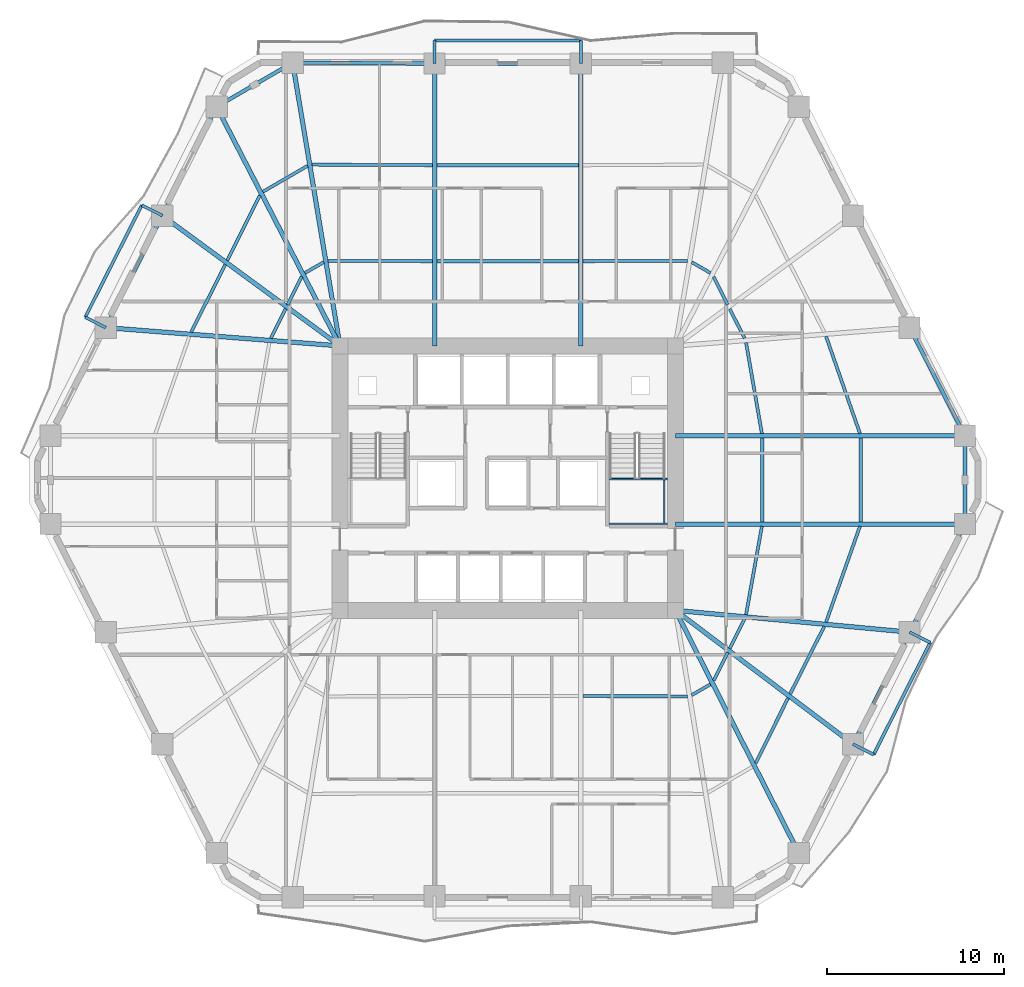
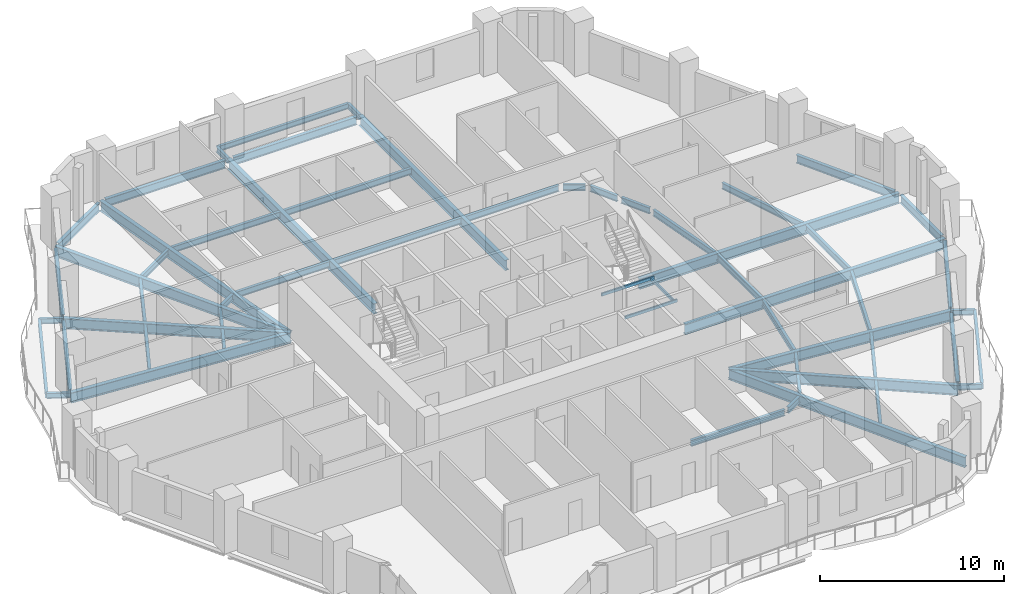
# One storey, part 2 of 12: 58 beams.
"""IFC4 building model written with IfcOpenShell, lengths in metres."""

from ifc_helpers import new_model, si_unit, direction, frame, origin, origin_2d, place, context, subcontext, project, spatial, hollow_rectangle, i_section, extrude, material, material_profile, profile_set, type_object, element, save


model = new_model("IFC4")

# Units and contexts
model_context = context("Model", 3, precision=1e-05, world=origin(), true_north=direction((0.0, 1.0)))
body_context = subcontext(model_context, "Body", "Model", "MODEL_VIEW")
ifc_project = project(units=[si_unit("LENGTHUNIT", "METRE"), si_unit("AREAUNIT", "SQUARE_METRE"), si_unit("VOLUMEUNIT", "CUBIC_METRE"), si_unit("PLANEANGLEUNIT", "RADIAN"), si_unit("MASSUNIT", "GRAM", prefix="KILO")], contexts=[model_context])

# Site, building, storey
site_placement = place(None, origin())
site = spatial("IfcSite", under=ifc_project, at=site_placement, CompositionType="ELEMENT")
building_placement = place(site_placement, origin())
building = spatial("IfcBuilding", under=site, at=building_placement, Name="Cinnabar Lancet Tower", CompositionType="ELEMENT")
storey_placement = place(building_placement, frame((0.0, 0.0, 28.449951171875)))
storey = spatial("IfcBuildingStorey", under=building, at=storey_placement, Name="L06", CompositionType="ELEMENT", Elevation=28.449951171875)

# Beams
ifc_material_1 = material(Name="Structural steel S355", Category="steel")
ifc_material_profile_1 = material_profile(ifc_material_1, i_section(OverallWidth=0.177978515625, OverallDepth=0.406494140625, WebThickness=0.0078125, FlangeThickness=0.0126953125, FilletRadius=0.01025390625, at=origin_2d()), Name="UKB 406x178x60")
ifc_profile_set_1 = profile_set([ifc_material_profile_1], Name="Structural steel S355")
beam_type_1 = type_object("IfcBeamType", Name="STR-BM-JST-406", PredefinedType="JOIST", material=ifc_profile_set_1)
beam_1_placement = place(storey_placement, frame((36.64892578125, 13.616943359375, -0.4228515625), z_axis=(0.999996783932, -0.002536163472, 0.0), x_axis=(0.002536163472, 0.999996783932, 0.0)))
element("IfcBeam", 1, at=beam_1_placement, inside=storey, type_object=beam_type_1, Name="L06 Secondary Floor Joist 14", PredefinedType="JOIST", context=body_context, shape_type="SweptSolid", body=[
    extrude(i_section(OverallWidth=0.177978515625, OverallDepth=0.406494140625, WebThickness=0.0078125, FlangeThickness=0.0126953125, FilletRadius=0.01025390625, at=origin_2d()), origin(), (0.0, 0.0, 1.0), 5.8720703125),
])
beam_2_placement = place(storey_placement, frame((42.76708984375, 13.669921875, -0.4228515625), z_axis=(0.865417177575, 0.50105200205, 0.0), x_axis=(-0.50105200205, 0.865417177575, 0.0)))
element("IfcBeam", 2, at=beam_2_placement, inside=storey, type_object=beam_type_1, Name="L06 Secondary Floor Joist 16", PredefinedType="JOIST", context=body_context, shape_type="SweptSolid", body=[
    extrude(i_section(OverallWidth=0.177978515625, OverallDepth=0.406494140625, WebThickness=0.0078125, FlangeThickness=0.0126953125, FilletRadius=0.01025390625, at=origin_2d()), origin(), (0.0, 0.0, 1.0), 1.223388671875),
])
beam_3_placement = place(storey_placement, frame((46.3701171875, 9.837890625, -0.4228515625), z_axis=(0.445807799253, 0.895128709251, 0.0), x_axis=(-0.895128709251, 0.445807799253, 0.0)))
element("IfcBeam", 3, at=beam_3_placement, inside=storey, type_object=beam_type_1, Name="L06 Secondary Floor Joist 17", PredefinedType="JOIST", context=body_context, shape_type="SweptSolid", body=[
    extrude(i_section(OverallWidth=0.177978515625, OverallDepth=0.406494140625, WebThickness=0.0078125, FlangeThickness=0.0126953125, FilletRadius=0.01025390625, at=origin_2d()), origin(), (0.0, 0.0, 1.0), 4.10009765625),
])
beam_4_placement = place(storey_placement, frame((44.006103515625, 14.488037109375, -0.4228515625), z_axis=(0.445778141453, 0.895143479339, 0.0), x_axis=(-0.895143479339, 0.445778141453, 0.0)))
element("IfcBeam", 4, at=beam_4_placement, inside=storey, type_object=beam_type_1, Name="L06 Secondary Floor Joist 18", PredefinedType="JOIST", context=body_context, shape_type="SweptSolid", body=[
    extrude(i_section(OverallWidth=0.177978515625, OverallDepth=0.406494140625, WebThickness=0.0078125, FlangeThickness=0.0126953125, FilletRadius=0.01025390625, at=origin_2d()), origin(), (0.0, 0.0, 1.0), 1.76953125),
])
beam_5_placement = place(storey_placement, frame((48.31396484375, 13.739013671875, -0.4228515625), z_axis=(0.450763900798, 0.892643213012, 0.0), x_axis=(-0.892643213012, 0.450763900798, 0.0)))
element("IfcBeam", 5, at=beam_5_placement, inside=storey, type_object=beam_type_1, Name="L06 Secondary Floor Joist 19", PredefinedType="JOIST", context=body_context, shape_type="SweptSolid", body=[
    extrude(i_section(OverallWidth=0.177978515625, OverallDepth=0.406494140625, WebThickness=0.0078125, FlangeThickness=0.0126953125, FilletRadius=0.01025390625, at=origin_2d()), origin(), (0.0, 0.0, 1.0), 4.25927734375),
])
beam_6_placement = place(storey_placement, frame((44.910888671875, 16.302978515625, -0.4228515625), z_axis=(0.450737053799, 0.892656769611, 0.0), x_axis=(-0.892656769611, 0.450737053799, 0.0)))
element("IfcBeam", 6, at=beam_6_placement, inside=storey, type_object=beam_type_1, Name="L06 Secondary Floor Joist 20", PredefinedType="JOIST", context=body_context, shape_type="SweptSolid", body=[
    extrude(i_section(OverallWidth=0.177978515625, OverallDepth=0.406494140625, WebThickness=0.0078125, FlangeThickness=0.0126953125, FilletRadius=0.01025390625, at=origin_2d()), origin(), (0.0, 0.0, 1.0), 1.855224609375),
])
beam_7_placement = place(storey_placement, frame((50.339111328125, 17.785888671875, -0.4228515625), z_axis=(0.333384030214, 0.942791115995, 0.0), x_axis=(-0.942791115995, 0.333384030214, 0.0)))
element("IfcBeam", 7, at=beam_7_placement, inside=storey, type_object=beam_type_1, Name="L06 Secondary Floor Joist 21", PredefinedType="JOIST", context=body_context, shape_type="SweptSolid", body=[
    extrude(i_section(OverallWidth=0.177978515625, OverallDepth=0.406494140625, WebThickness=0.0078125, FlangeThickness=0.0126953125, FilletRadius=0.01025390625, at=origin_2d()), origin(), (0.0, 0.0, 1.0), 5.728759765625),
])
beam_8_placement = place(storey_placement, frame((45.8310546875, 18.2060546875, -0.4228515625), z_axis=(0.176248165752, 0.98434576449, 0.0), x_axis=(-0.98434576449, 0.176248165752, 0.0)))
element("IfcBeam", 8, at=beam_8_placement, inside=storey, type_object=beam_type_1, Name="L06 Secondary Floor Joist 22", PredefinedType="JOIST", context=body_context, shape_type="SweptSolid", body=[
    extrude(i_section(OverallWidth=0.177978515625, OverallDepth=0.406494140625, WebThickness=0.0078125, FlangeThickness=0.0126953125, FilletRadius=0.01025390625, at=origin_2d()), origin(), (0.0, 0.0, 1.0), 5.06005859375),
])
for number, where, z_axis, x_axis, name in (
    (9, (52.2939453125, 23.44091796875, -0.4228515625), (0.0, 1.0, 0.0), (-1.0, 0.0, 0.0), "L06 Secondary Floor Joist 23"),
    (10, (46.7451171875, 23.44091796875, -0.4228515625), (0.0, 1.0, 0.0), (-1.0, 0.0, 0.0), "L06 Secondary Floor Joist 24"),
):
    element("IfcBeam", number, at=place(storey_placement, frame(where, z_axis=z_axis, x_axis=x_axis)), inside=storey, type_object=beam_type_1, Name=name, PredefinedType="JOIST", context=body_context, shape_type="SweptSolid", body=[
        extrude(i_section(OverallWidth=0.177978515625, OverallDepth=0.406494140625, WebThickness=0.0078125, FlangeThickness=0.0126953125, FilletRadius=0.01025390625, at=origin_2d()), origin(), (0.0, 0.0, 1.0), 4.718017578125),
    ])
beam_9_placement = place(storey_placement, frame((52.2490234375, 28.4130859375, -0.4228515625), z_axis=(-0.329541584143, 0.944141061664, 0.0), x_axis=(-0.944141061664, -0.329541584143, 0.0)))
element("IfcBeam", 11, at=beam_9_placement, inside=storey, type_object=beam_type_1, Name="L06 Secondary Floor Joist 25", PredefinedType="JOIST", context=body_context, shape_type="SweptSolid", body=[
    extrude(i_section(OverallWidth=0.177978515625, OverallDepth=0.406494140625, WebThickness=0.0078125, FlangeThickness=0.0126953125, FilletRadius=0.01025390625, at=origin_2d()), origin(), (0.0, 0.0, 1.0), 5.795654296875),
])
beam_10_placement = place(storey_placement, frame((46.722900390625, 28.4130859375, -0.4228515625), z_axis=(-0.171608810888, 0.985165171951, 0.0), x_axis=(-0.985165171951, -0.171608810888, 0.0)))
element("IfcBeam", 12, at=beam_10_placement, inside=storey, type_object=beam_type_1, Name="L06 Secondary Floor Joist 26", PredefinedType="JOIST", context=body_context, shape_type="SweptSolid", body=[
    extrude(i_section(OverallWidth=0.177978515625, OverallDepth=0.406494140625, WebThickness=0.0078125, FlangeThickness=0.0126953125, FilletRadius=0.01025390625, at=origin_2d()), origin(), (0.0, 0.0, 1.0), 5.197021484375),
])
beam_11_placement = place(storey_placement, frame((45.7470703125, 33.781005859375, -0.4228515625), z_axis=(-0.450525338421, 0.89276364142, 0.0), x_axis=(-0.89276364142, -0.450525338421, 0.0)))
element("IfcBeam", 13, at=beam_11_placement, inside=storey, type_object=beam_type_1, Name="L06 Secondary Floor Joist 28", PredefinedType="JOIST", context=body_context, shape_type="SweptSolid", body=[
    extrude(i_section(OverallWidth=0.177978515625, OverallDepth=0.406494140625, WebThickness=0.0078125, FlangeThickness=0.0126953125, FilletRadius=0.01025390625, at=origin_2d()), origin(), (0.0, 0.0, 1.0), 1.85595703125),
])
beam_12_placement = place(storey_placement, frame((44.794921875, 35.66796875, -0.4228515625), z_axis=(-0.445778141453, 0.895143479339, 0.0), x_axis=(-0.895143479339, -0.445778141453, 0.0)))
element("IfcBeam", 14, at=beam_12_placement, inside=storey, type_object=beam_type_1, Name="L06 Secondary Floor Joist 30", PredefinedType="JOIST", context=body_context, shape_type="SweptSolid", body=[
    extrude(i_section(OverallWidth=0.177978515625, OverallDepth=0.406494140625, WebThickness=0.0078125, FlangeThickness=0.0126953125, FilletRadius=0.01025390625, at=origin_2d()), origin(), (0.0, 0.0, 1.0), 1.76953125),
])
beam_13_placement = place(storey_placement, frame((43.825927734375, 37.45703125, -0.4228515625), z_axis=(-0.865417177575, 0.50105200205, 0.0), x_axis=(-0.50105200205, -0.865417177575, 0.0)))
element("IfcBeam", 15, at=beam_13_placement, inside=storey, type_object=beam_type_1, Name="L06 Secondary Floor Joist 32", PredefinedType="JOIST", context=body_context, shape_type="SweptSolid", body=[
    extrude(i_section(OverallWidth=0.177978515625, OverallDepth=0.406494140625, WebThickness=0.0078125, FlangeThickness=0.0126953125, FilletRadius=0.01025390625, at=origin_2d()), origin(), (0.0, 0.0, 1.0), 1.223388671875),
])
beam_14_placement = place(storey_placement, frame((42.52099609375, 38.137939453125, -0.4228515625), z_axis=(-0.999996783932, -0.002536163472, 0.0), x_axis=(0.002536163472, -0.999996783932, 0.0)))
element("IfcBeam", 16, at=beam_14_placement, inside=storey, type_object=beam_type_1, Name="L06 Secondary Floor Joist 34", PredefinedType="JOIST", context=body_context, shape_type="SweptSolid", body=[
    extrude(i_section(OverallWidth=0.177978515625, OverallDepth=0.406494140625, WebThickness=0.0078125, FlangeThickness=0.0126953125, FilletRadius=0.01025390625, at=origin_2d()), origin(), (0.0, 0.0, 1.0), 5.8720703125),
])
for number, where, z_axis, x_axis, name in (
    (17, (36.39501953125, 43.531005859375, -0.4228515625), (-1.0, 0.0, 0.0), (0.0, -1.0, 0.0), "L06 Secondary Floor Joist 35"),
    (18, (36.39501953125, 38.1220703125, -0.4228515625), (-1.0, 0.0, 0.0), (0.0, -1.0, 0.0), "L06 Secondary Floor Joist 36"),
):
    element("IfcBeam", number, at=place(storey_placement, frame(where, z_axis=z_axis, x_axis=x_axis)), inside=storey, type_object=beam_type_1, Name=name, PredefinedType="JOIST", context=body_context, shape_type="SweptSolid", body=[
        extrude(i_section(OverallWidth=0.177978515625, OverallDepth=0.406494140625, WebThickness=0.0078125, FlangeThickness=0.0126953125, FilletRadius=0.01025390625, at=origin_2d()), origin(), (0.0, 0.0, 1.0), 7.989990234375),
    ])
beam_15_placement = place(storey_placement, frame((28.15087890625, 43.531982421875, -0.4228515625), z_axis=(-0.999988870422, 0.004717947923, 0.0), x_axis=(-0.004717947923, -0.999988870422, 0.0)))
element("IfcBeam", 19, at=beam_15_placement, inside=storey, type_object=beam_type_1, Name="L06 Secondary Floor Joist 37", PredefinedType="JOIST", context=body_context, shape_type="SweptSolid", body=[
    extrude(i_section(OverallWidth=0.177978515625, OverallDepth=0.406494140625, WebThickness=0.0078125, FlangeThickness=0.0126953125, FilletRadius=0.01025390625, at=origin_2d()), origin(), (0.0, 0.0, 1.0), 6.77880859375),
])
beam_16_placement = place(storey_placement, frame((28.15087890625, 38.123046875, -0.4228515625), z_axis=(-0.999996783665, 0.00253626892, 0.0), x_axis=(-0.00253626892, -0.999996783665, 0.0)))
element("IfcBeam", 20, at=beam_16_placement, inside=storey, type_object=beam_type_1, Name="L06 Secondary Floor Joist 38", PredefinedType="JOIST", context=body_context, shape_type="SweptSolid", body=[
    extrude(i_section(OverallWidth=0.177978515625, OverallDepth=0.406494140625, WebThickness=0.0078125, FlangeThickness=0.0126953125, FilletRadius=0.01025390625, at=origin_2d()), origin(), (0.0, 0.0, 1.0), 5.871826171875),
])
beam_17_placement = place(storey_placement, frame((21.1259765625, 43.4970703125, -0.4228515625), z_axis=(-0.865209684948, -0.501410212373, 0.0), x_axis=(0.501410212373, -0.865209684948, 0.0)))
element("IfcBeam", 21, at=beam_17_placement, inside=storey, type_object=beam_type_1, Name="L06 Secondary Floor Joist 39", PredefinedType="JOIST", context=body_context, shape_type="SweptSolid", body=[
    extrude(i_section(OverallWidth=0.177978515625, OverallDepth=0.406494140625, WebThickness=0.0078125, FlangeThickness=0.0126953125, FilletRadius=0.01025390625, at=origin_2d()), origin(), (0.0, 0.0, 1.0), 2.90771484375),
])
beam_18_placement = place(storey_placement, frame((22.032958984375, 38.070068359375, -0.4228515625), z_axis=(-0.865417177575, -0.50105200205, 0.0), x_axis=(0.50105200205, -0.865417177575, 0.0)))
element("IfcBeam", 22, at=beam_18_placement, inside=storey, type_object=beam_type_1, Name="L06 Secondary Floor Joist 40", PredefinedType="JOIST", context=body_context, shape_type="SweptSolid", body=[
    extrude(i_section(OverallWidth=0.177978515625, OverallDepth=0.406494140625, WebThickness=0.0078125, FlangeThickness=0.0126953125, FilletRadius=0.01025390625, at=origin_2d()), origin(), (0.0, 0.0, 1.0), 1.223388671875),
])
beam_19_placement = place(storey_placement, frame((18.429931640625, 41.8349609375, -0.4228515625), z_axis=(-0.445641523434, -0.895211501597, 0.0), x_axis=(0.895211501597, -0.445641523434, 0.0)))
element("IfcBeam", 23, at=beam_19_placement, inside=storey, type_object=beam_type_1, Name="L06 Secondary Floor Joist 41", PredefinedType="JOIST", context=body_context, shape_type="SweptSolid", body=[
    extrude(i_section(OverallWidth=0.177978515625, OverallDepth=0.406494140625, WebThickness=0.0078125, FlangeThickness=0.0126953125, FilletRadius=0.01025390625, at=origin_2d()), origin(), (0.0, 0.0, 1.0), 4.1015625),
])
beam_20_placement = place(storey_placement, frame((20.7939453125, 37.251953125, -0.4228515625), z_axis=(-0.445888683384, -0.895088421347, 0.0), x_axis=(0.895088421347, -0.445888683384, 0.0)))
element("IfcBeam", 24, at=beam_20_placement, inside=storey, type_object=beam_type_1, Name="L06 Secondary Floor Joist 42", PredefinedType="JOIST", context=body_context, shape_type="SweptSolid", body=[
    extrude(i_section(OverallWidth=0.177978515625, OverallDepth=0.406494140625, WebThickness=0.0078125, FlangeThickness=0.0126953125, FilletRadius=0.01025390625, at=origin_2d()), origin(), (0.0, 0.0, 1.0), 1.76953125),
])
beam_21_placement = place(storey_placement, frame((16.486083984375, 37.93310546875, -0.4228515625), z_axis=(-0.450901848865, -0.892573539094, 0.0), x_axis=(0.892573539094, -0.450901848865, 0.0)))
element("IfcBeam", 25, at=beam_21_placement, inside=storey, type_object=beam_type_1, Name="L06 Secondary Floor Joist 43", PredefinedType="JOIST", context=body_context, shape_type="SweptSolid", body=[
    extrude(i_section(OverallWidth=0.177978515625, OverallDepth=0.406494140625, WebThickness=0.0078125, FlangeThickness=0.0126953125, FilletRadius=0.01025390625, at=origin_2d()), origin(), (0.0, 0.0, 1.0), 4.258544921875),
])
beam_22_placement = place(storey_placement, frame((19.888916015625, 35.43798828125, -0.4228515625), z_axis=(-0.450420487985, -0.892816545547, 0.0), x_axis=(0.892816545547, -0.450420487985, 0.0)))
element("IfcBeam", 26, at=beam_22_placement, inside=storey, type_object=beam_type_1, Name="L06 Secondary Floor Joist 44", PredefinedType="JOIST", context=body_context, shape_type="SweptSolid", body=[
    extrude(i_section(OverallWidth=0.177978515625, OverallDepth=0.406494140625, WebThickness=0.0078125, FlangeThickness=0.0126953125, FilletRadius=0.01025390625, at=origin_2d()), origin(), (0.0, 0.0, 1.0), 1.85595703125),
])
ifc_material_2 = material(Name="Structural steel S355", Category="steel")
ifc_material_profile_2 = material_profile(ifc_material_2, hollow_rectangle(XDim=0.10009765625, YDim=0.199951171875, WallThickness=0.008056640625, InnerFilletRadius=0.00390625, OuterFilletRadius=0.011962890625, at=origin_2d()), Name="RHS 200x100x8")
ifc_profile_set_2 = profile_set([ifc_material_profile_2], Name="Structural steel S355")
beam_type_2 = type_object("IfcBeamType", Name="STR-BM-LND-203", PredefinedType="BEAM", material=ifc_profile_set_2)
for number, where, z_axis, x_axis, name in (
    (27, (38.1201171875, 23.330078125, 1.47509765625), (1.0, 0.0, 0.0), (0.0, 1.0, 0.0), "L06 ST-2-L06 Landing Support Beam S"),
    (28, (38.1201171875, 25.844970703125, 1.47509765625), (1.0, 0.0, 0.0), (0.0, 1.0, 0.0), "L06 ST-2-L06 Landing Support Beam N"),
):
    element("IfcBeam", number, at=place(storey_placement, frame(where, z_axis=z_axis, x_axis=x_axis)), inside=storey, type_object=beam_type_2, Name=name, PredefinedType="BEAM", context=body_context, shape_type="SweptSolid", body=[
        extrude(hollow_rectangle(XDim=0.10009765625, YDim=0.199951171875, WallThickness=0.008056640625, InnerFilletRadius=0.00390625, OuterFilletRadius=0.011962890625, at=origin_2d()), origin(), (0.0, 0.0, 1.0), 3.27978515625),
    ])
beam_23_placement = place(storey_placement, frame((41.219970703125, 23.3798828125, 1.47509765625), z_axis=(0.0, 1.0, 0.0), x_axis=(-1.0, 0.0, 0.0)))
element("IfcBeam", 29, at=beam_23_placement, inside=storey, type_object=beam_type_2, Name="L06 ST-2-L06 Landing Side Trimmer Beam", PredefinedType="BEAM", context=body_context, shape_type="SweptSolid", body=[
    extrude(hollow_rectangle(XDim=0.10009765625, YDim=0.199951171875, WallThickness=0.008056640625, InnerFilletRadius=0.00390625, OuterFilletRadius=0.011962890625, at=origin_2d()), origin(), (0.0, 0.0, 1.0), 2.4150390625),
])
ifc_material_3 = material(Name="Structural steel S355", Category="steel")
ifc_material_profile_3 = material_profile(ifc_material_3, i_section(OverallWidth=0.209228515625, OverallDepth=0.533203125, WebThickness=0.010009765625, FlangeThickness=0.015625, FilletRadius=0.0126953125, at=origin_2d()), Name="UKB 533x210x92")
ifc_profile_set_3 = profile_set([ifc_material_profile_3], Name="Structural steel S355")
beam_type_3 = type_object("IfcBeamType", Name="STR-BM-SPN-533", PredefinedType="SPANDREL", material=ifc_profile_set_3)
beam_24_placement = place(storey_placement, frame((51.971923828125, 11.132080078125, -0.487060546875), z_axis=(0.450703143926, 0.892673891214, 0.0), x_axis=(-0.892673891214, 0.450703143926, 0.0)))
element("IfcBeam", 30, at=beam_24_placement, inside=storey, type_object=beam_type_3, Name="L06 Perimeter Spandrel 6", PredefinedType="SPANDREL", context=body_context, shape_type="SweptSolid", body=[
    extrude(i_section(OverallWidth=0.209228515625, OverallDepth=0.533203125, WebThickness=0.010009765625, FlangeThickness=0.015625, FilletRadius=0.0126953125, at=origin_2d()), origin(), (0.0, 0.0, 1.0), 6.570068359375),
])
beam_25_placement = place(storey_placement, frame((55.159912109375, 17.443115234375, -0.487060546875), z_axis=(0.456024522632, 0.889967209934, 0.0), x_axis=(-0.889967209934, 0.456024522632, 0.0)))
element("IfcBeam", 31, at=beam_25_placement, inside=storey, type_object=beam_type_3, Name="L06 Perimeter Spandrel 7", PredefinedType="SPANDREL", context=body_context, shape_type="SweptSolid", body=[
    extrude(i_section(OverallWidth=0.209228515625, OverallDepth=0.533203125, WebThickness=0.010009765625, FlangeThickness=0.015625, FilletRadius=0.0126953125, at=origin_2d()), origin(), (0.0, 0.0, 1.0), 6.34619140625),
])
beam_26_placement = place(storey_placement, frame((58.16796875, 23.56396484375, -0.487060546875), z_axis=(0.0, 1.0, 0.0), x_axis=(-1.0, 0.0, 0.0)))
element("IfcBeam", 32, at=beam_26_placement, inside=storey, type_object=beam_type_3, Name="L06 Perimeter Spandrel 8", PredefinedType="SPANDREL", context=body_context, shape_type="SweptSolid", body=[
    extrude(i_section(OverallWidth=0.209228515625, OverallDepth=0.533203125, WebThickness=0.010009765625, FlangeThickness=0.015625, FilletRadius=0.0126953125, at=origin_2d()), origin(), (0.0, 0.0, 1.0), 4.471923828125),
])
beam_27_placement = place(storey_placement, frame((58.053955078125, 28.509033203125, -0.487060546875), z_axis=(-0.456024522632, 0.889967209934, 0.0), x_axis=(-0.889967209934, -0.456024522632, 0.0)))
element("IfcBeam", 33, at=beam_27_placement, inside=storey, type_object=beam_type_3, Name="L06 Perimeter Spandrel 9", PredefinedType="SPANDREL", context=body_context, shape_type="SweptSolid", body=[
    extrude(i_section(OverallWidth=0.209228515625, OverallDepth=0.533203125, WebThickness=0.010009765625, FlangeThickness=0.015625, FilletRadius=0.0126953125, at=origin_2d()), origin(), (0.0, 0.0, 1.0), 6.34619140625),
])
beam_28_placement = place(storey_placement, frame((36.27197265625, 49.258056640625, -0.487060546875), z_axis=(-1.0, 0.0, 0.0), x_axis=(0.0, -1.0, 0.0)))
element("IfcBeam", 34, at=beam_28_placement, inside=storey, type_object=beam_type_3, Name="L06 Perimeter Spandrel 14", PredefinedType="SPANDREL", context=body_context, shape_type="SweptSolid", body=[
    extrude(i_section(OverallWidth=0.209228515625, OverallDepth=0.533203125, WebThickness=0.010009765625, FlangeThickness=0.015625, FilletRadius=0.0126953125, at=origin_2d()), origin(), (0.0, 0.0, 1.0), 7.743896484375),
])
beam_29_placement = place(storey_placement, frame((28.028076171875, 49.260009765625, -0.487060546875), z_axis=(-0.99997856757, 0.006547090947, 0.0), x_axis=(-0.006547090947, -0.99997856757, 0.0)))
element("IfcBeam", 35, at=beam_29_placement, inside=storey, type_object=beam_type_3, Name="L06 Perimeter Spandrel 15", PredefinedType="SPANDREL", context=body_context, shape_type="SweptSolid", body=[
    extrude(i_section(OverallWidth=0.209228515625, OverallDepth=0.533203125, WebThickness=0.010009765625, FlangeThickness=0.015625, FilletRadius=0.0126953125, at=origin_2d()), origin(), (0.0, 0.0, 1.0), 7.495361328125),
])
beam_30_placement = place(storey_placement, frame((20.06689453125, 49.18603515625, -0.487060546875), z_axis=(-0.865147238596, -0.501517951374, 0.0), x_axis=(0.501517951374, -0.865147238596, 0.0)))
element("IfcBeam", 36, at=beam_30_placement, inside=storey, type_object=beam_type_3, Name="L06 Perimeter Spandrel 16", PredefinedType="SPANDREL", context=body_context, shape_type="SweptSolid", body=[
    extrude(i_section(OverallWidth=0.209228515625, OverallDepth=0.533203125, WebThickness=0.010009765625, FlangeThickness=0.015625, FilletRadius=0.0126953125, at=origin_2d()), origin(), (0.0, 0.0, 1.0), 4.454833984375),
])
beam_31_placement = place(storey_placement, frame((15.885986328125, 46.60302734375, -0.487060546875), z_axis=(-0.445953050023, -0.89505635419, 0.0), x_axis=(0.89505635419, -0.445953050023, 0.0)))
element("IfcBeam", 37, at=beam_31_placement, inside=storey, type_object=beam_type_3, Name="L06 Perimeter Spandrel 17", PredefinedType="SPANDREL", context=body_context, shape_type="SweptSolid", body=[
    extrude(i_section(OverallWidth=0.209228515625, OverallDepth=0.533203125, WebThickness=0.010009765625, FlangeThickness=0.015625, FilletRadius=0.0126953125, at=origin_2d()), origin(), (0.0, 0.0, 1.0), 6.35498046875),
])
beam_32_placement = place(storey_placement, frame((12.827880859375, 40.468017578125, -0.487060546875), z_axis=(-0.450673532306, -0.892688841242, 0.0), x_axis=(0.892688841242, -0.450673532306, 0.0)))
element("IfcBeam", 38, at=beam_32_placement, inside=storey, type_object=beam_type_3, Name="L06 Perimeter Spandrel 18", PredefinedType="SPANDREL", context=body_context, shape_type="SweptSolid", body=[
    extrude(i_section(OverallWidth=0.209228515625, OverallDepth=0.533203125, WebThickness=0.010009765625, FlangeThickness=0.015625, FilletRadius=0.0126953125, at=origin_2d()), origin(), (0.0, 0.0, 1.0), 6.570068359375),
])
ifc_material_4 = material(Name="Structural steel S355", Category="steel")
ifc_material_profile_4 = material_profile(ifc_material_4, i_section(OverallWidth=0.253662109375, OverallDepth=0.68359375, WebThickness=0.012451171875, FlangeThickness=0.01904296875, FilletRadius=0.01513671875, at=origin_2d()), Name="UKB 686x254x140")
ifc_profile_set_4 = profile_set([ifc_material_profile_4], Name="Structural steel S355")
beam_type_4 = type_object("IfcBeamType", Name="STR-BM-UKB686-140", PredefinedType="BEAM", material=ifc_profile_set_4)
beam_33_placement = place(storey_placement, frame((51.85888671875, 10.908935546875, -0.56201171875), z_axis=(-0.798679534026, 0.601756596912, 0.0), x_axis=(-0.601756596912, -0.798679534026, 0.0)))
element("IfcBeam", 39, at=beam_33_placement, inside=storey, type_object=beam_type_4, Name="L06 Corner Collector Girder 2", PredefinedType="BEAM", context=body_context, shape_type="SweptSolid", body=[
    extrude(i_section(OverallWidth=0.253662109375, OverallDepth=0.68359375, WebThickness=0.012451171875, FlangeThickness=0.01904296875, FilletRadius=0.01513671875, at=origin_2d()), origin(), (0.0, 0.0, 1.0), 12.53173828125),
])
beam_34_placement = place(storey_placement, frame((12.94091796875, 40.69091796875, -0.56201171875), z_axis=(0.806371852816, -0.591408856026, 0.0), x_axis=(0.591408856026, 0.806371852816, 0.0)))
element("IfcBeam", 40, at=beam_34_placement, inside=storey, type_object=beam_type_4, Name="L06 Corner Collector Girder 4", PredefinedType="BEAM", context=body_context, shape_type="SweptSolid", body=[
    extrude(i_section(OverallWidth=0.253662109375, OverallDepth=0.68359375, WebThickness=0.012451171875, FlangeThickness=0.01904296875, FilletRadius=0.01513671875, at=origin_2d()), origin(), (0.0, 0.0, 1.0), 12.412353515625),
])
beam_35_placement = place(storey_placement, frame((48.802978515625, 4.77294921875, -0.56201171875), z_axis=(-0.453167599586, 0.89142533433, 0.0), x_axis=(-0.89142533433, -0.453167599586, 0.0)))
element("IfcBeam", 41, at=beam_35_placement, inside=storey, type_object=beam_type_4, Name="L06 Primary Floor Girder 5", PredefinedType="BEAM", context=body_context, shape_type="SweptSolid", body=[
    extrude(i_section(OverallWidth=0.253662109375, OverallDepth=0.68359375, WebThickness=0.012451171875, FlangeThickness=0.01904296875, FilletRadius=0.01513671875, at=origin_2d()), origin(), (0.0, 0.0, 1.0), 15.3427734375),
])
beam_36_placement = place(storey_placement, frame((55.0458984375, 17.219970703125, -0.56201171875), z_axis=(-0.99568405159, 0.092807701238, 0.0), x_axis=(-0.092807701238, -0.99568405159, 0.0)))
element("IfcBeam", 42, at=beam_36_placement, inside=storey, type_object=beam_type_4, Name="L06 Primary Floor Girder 7", PredefinedType="BEAM", context=body_context, shape_type="SweptSolid", body=[
    extrude(i_section(OverallWidth=0.253662109375, OverallDepth=0.68359375, WebThickness=0.012451171875, FlangeThickness=0.01904296875, FilletRadius=0.01513671875, at=origin_2d()), origin(), (0.0, 0.0, 1.0), 13.2529296875),
])
for number, where, z_axis, x_axis, name in (
    (43, (58.16796875, 23.31396484375, -0.56201171875), (-1.0, 0.0, 0.0), (0.0, -1.0, 0.0), "L06 Primary Floor Girder 8"),
    (44, (58.16796875, 28.285888671875, -0.56201171875), (-1.0, 0.0, 0.0), (0.0, -1.0, 0.0), "L06 Primary Floor Girder 9"),
):
    element("IfcBeam", number, at=place(storey_placement, frame(where, z_axis=z_axis, x_axis=x_axis)), inside=storey, type_object=beam_type_4, Name=name, PredefinedType="BEAM", context=body_context, shape_type="SweptSolid", body=[
        extrude(i_section(OverallWidth=0.253662109375, OverallDepth=0.68359375, WebThickness=0.012451171875, FlangeThickness=0.01904296875, FilletRadius=0.01513671875, at=origin_2d()), origin(), (0.0, 0.0, 1.0), 16.31787109375),
    ])
for number, where, z_axis, x_axis, name in (
    (45, (36.52197265625, 49.258056640625, -0.56201171875), (0.0, -1.0, 0.0), (1.0, 0.0, 0.0), "L06 Primary Floor Girder 14"),
    (46, (28.278076171875, 49.258056640625, -0.56201171875), (0.0, -1.0, 0.0), (1.0, 0.0, 0.0), "L06 Primary Floor Girder 15"),
):
    element("IfcBeam", number, at=place(storey_placement, frame(where, z_axis=z_axis, x_axis=x_axis)), inside=storey, type_object=beam_type_4, Name=name, PredefinedType="BEAM", context=body_context, shape_type="SweptSolid", body=[
        extrude(i_section(OverallWidth=0.253662109375, OverallDepth=0.68359375, WebThickness=0.012451171875, FlangeThickness=0.01904296875, FilletRadius=0.01513671875, at=origin_2d()), origin(), (0.0, 0.0, 1.0), 15.907958984375),
    ])
beam_37_placement = place(storey_placement, frame((20.282958984375, 49.31103515625, -0.56201171875), z_axis=(0.164809990854, -0.986325335229, 0.0), x_axis=(0.986325335229, 0.164809990854, 0.0)))
element("IfcBeam", 47, at=beam_37_placement, inside=storey, type_object=beam_type_4, Name="L06 Primary Floor Girder 16", PredefinedType="BEAM", context=body_context, shape_type="SweptSolid", body=[
    extrude(i_section(OverallWidth=0.253662109375, OverallDepth=0.68359375, WebThickness=0.012451171875, FlangeThickness=0.01904296875, FilletRadius=0.01513671875, at=origin_2d()), origin(), (0.0, 0.0, 1.0), 16.18212890625),
])
beam_38_placement = place(storey_placement, frame((15.9970703125, 46.826904296875, -0.56201171875), z_axis=(0.458492410387, -0.888698323177, 0.0), x_axis=(0.888698323177, 0.458492410387, 0.0)))
element("IfcBeam", 48, at=beam_38_placement, inside=storey, type_object=beam_type_4, Name="L06 Primary Floor Girder 17", PredefinedType="BEAM", context=body_context, shape_type="SweptSolid", body=[
    extrude(i_section(OverallWidth=0.253662109375, OverallDepth=0.68359375, WebThickness=0.012451171875, FlangeThickness=0.01904296875, FilletRadius=0.01513671875, at=origin_2d()), origin(), (0.0, 0.0, 1.0), 15.16455078125),
])
beam_39_placement = place(storey_placement, frame((9.75390625, 34.3798828125, -0.56201171875), z_axis=(0.99696891848, -0.077800871365, 0.0), x_axis=(0.077800871365, 0.99696891848, 0.0)))
element("IfcBeam", 49, at=beam_39_placement, inside=storey, type_object=beam_type_4, Name="L06 Primary Floor Girder 19", PredefinedType="BEAM", context=body_context, shape_type="SweptSolid", body=[
    extrude(i_section(OverallWidth=0.253662109375, OverallDepth=0.68359375, WebThickness=0.012451171875, FlangeThickness=0.01904296875, FilletRadius=0.01513671875, at=origin_2d()), origin(), (0.0, 0.0, 1.0), 13.236083984375),
])
ifc_material_5 = material(Name="Structural steel S355", Category="steel")
ifc_material_profile_5 = material_profile(ifc_material_5, i_section(OverallWidth=0.17138671875, OverallDepth=0.35498046875, WebThickness=0.00732421875, FlangeThickness=0.011474609375, FilletRadius=0.01025390625, at=origin_2d()), Name="UKB 356x171x51")
ifc_profile_set_5 = profile_set([ifc_material_profile_5], Name="Structural steel S355")
beam_type_5 = type_object("IfcBeamType", Name="STR-BM-WAV-OUT", PredefinedType="BEAM", material=ifc_profile_set_5)
for number, where, z_axis, x_axis, name in (
    (50, (51.85888671875, 10.908935546875, -0.39697265625), (0.892314203325, -0.451414845285, 0.0), (0.451414845285, 0.892314203325, 0.0), "L06 Face 2 Balcony Outlooker A"),
    (51, (55.0458984375, 17.219970703125, -0.39697265625), (0.892314203325, -0.451414845285, 0.0), (0.451414845285, 0.892314203325, 0.0), "L06 Face 2 Balcony Outlooker B"),
    (52, (36.52197265625, 49.258056640625, -0.39697265625), (0.0, 1.0, 0.0), (-1.0, 0.0, 0.0), "L06 Face 4 Balcony Outlooker A"),
    (53, (28.278076171875, 49.258056640625, -0.39697265625), (0.0, 1.0, 0.0), (-1.0, 0.0, 0.0), "L06 Face 4 Balcony Outlooker B"),
    (54, (12.94091796875, 40.69091796875, -0.39697265625), (-0.892200264127, 0.451639998995, 0.0), (-0.451639998995, -0.892200264127, 0.0), "L06 Face 5 Balcony Outlooker A"),
    (55, (9.75390625, 34.3798828125, -0.39697265625), (-0.892200264127, 0.451639998995, 0.0), (-0.451639998995, -0.892200264127, 0.0), "L06 Face 5 Balcony Outlooker B"),
):
    element("IfcBeam", number, at=place(storey_placement, frame(where, z_axis=z_axis, x_axis=x_axis)), inside=storey, type_object=beam_type_5, Name=name, PredefinedType="BEAM", context=body_context, shape_type="SweptSolid", body=[
        extrude(i_section(OverallWidth=0.17138671875, OverallDepth=0.35498046875, WebThickness=0.00732421875, FlangeThickness=0.011474609375, FilletRadius=0.01025390625, at=origin_2d()), origin(), (0.0, 0.0, 1.0), 1.300048828125),
    ])
ifc_material_6 = material(Name="Structural steel S355", Category="steel")
ifc_material_profile_6 = material_profile(ifc_material_6, i_section(OverallWidth=0.17138671875, OverallDepth=0.35498046875, WebThickness=0.00732421875, FlangeThickness=0.011474609375, FilletRadius=0.01025390625, at=origin_2d()), Name="UKB 356x171x51")
ifc_profile_set_6 = profile_set([ifc_material_profile_6], Name="Structural steel S355")
beam_type_6 = type_object("IfcBeamType", Name="STR-BM-WAV-TRIM", PredefinedType="SPANDREL", material=ifc_profile_set_6)
beam_40_placement = place(storey_placement, frame((53.01904296875, 10.322021484375, -0.39697265625), z_axis=(0.450773692627, 0.892638268301, 0.0), x_axis=(-0.892638268301, 0.450773692627, 0.0)))
element("IfcBeam", 56, at=beam_40_placement, inside=storey, type_object=beam_type_6, Name="L06 Face 2 Balcony Edge Trimmer", PredefinedType="SPANDREL", context=body_context, shape_type="SweptSolid", body=[
    extrude(i_section(OverallWidth=0.17138671875, OverallDepth=0.35498046875, WebThickness=0.00732421875, FlangeThickness=0.011474609375, FilletRadius=0.01025390625, at=origin_2d()), origin(), (0.0, 0.0, 1.0), 7.070068359375),
])
beam_41_placement = place(storey_placement, frame((36.52197265625, 50.55810546875, -0.39697265625), z_axis=(-1.0, 0.0, 0.0), x_axis=(0.0, -1.0, 0.0)))
element("IfcBeam", 57, at=beam_41_placement, inside=storey, type_object=beam_type_6, Name="L06 Face 4 Balcony Edge Trimmer", PredefinedType="SPANDREL", context=body_context, shape_type="SweptSolid", body=[
    extrude(i_section(OverallWidth=0.17138671875, OverallDepth=0.35498046875, WebThickness=0.00732421875, FlangeThickness=0.011474609375, FilletRadius=0.01025390625, at=origin_2d()), origin(), (0.0, 0.0, 1.0), 8.243896484375),
])
beam_42_placement = place(storey_placement, frame((11.781005859375, 41.278076171875, -0.39697265625), z_axis=(-0.450773692627, -0.892638268301, 0.0), x_axis=(0.892638268301, -0.450773692627, 0.0)))
element("IfcBeam", 58, at=beam_42_placement, inside=storey, type_object=beam_type_6, Name="L06 Face 5 Balcony Edge Trimmer", PredefinedType="SPANDREL", context=body_context, shape_type="SweptSolid", body=[
    extrude(i_section(OverallWidth=0.17138671875, OverallDepth=0.35498046875, WebThickness=0.00732421875, FlangeThickness=0.011474609375, FilletRadius=0.01025390625, at=origin_2d()), origin(), (0.0, 0.0, 1.0), 7.070068359375),
])

save(model, "model.ifc")
